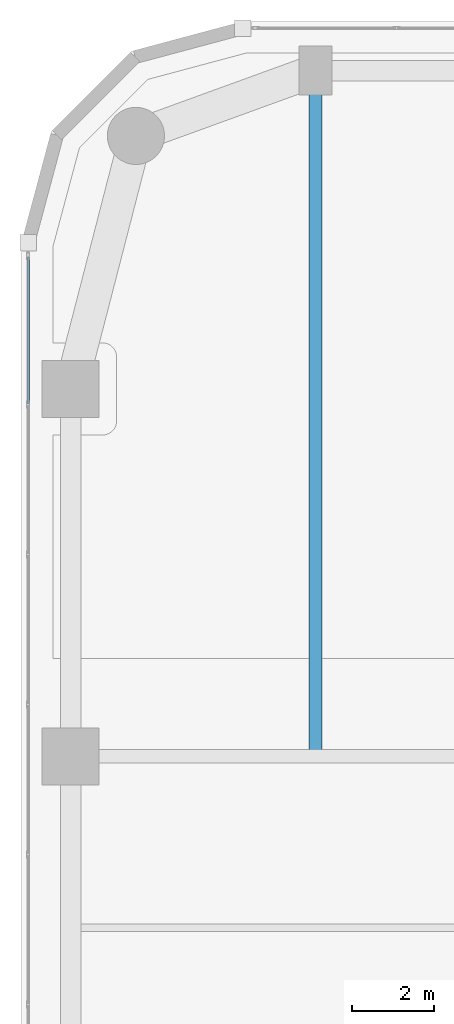
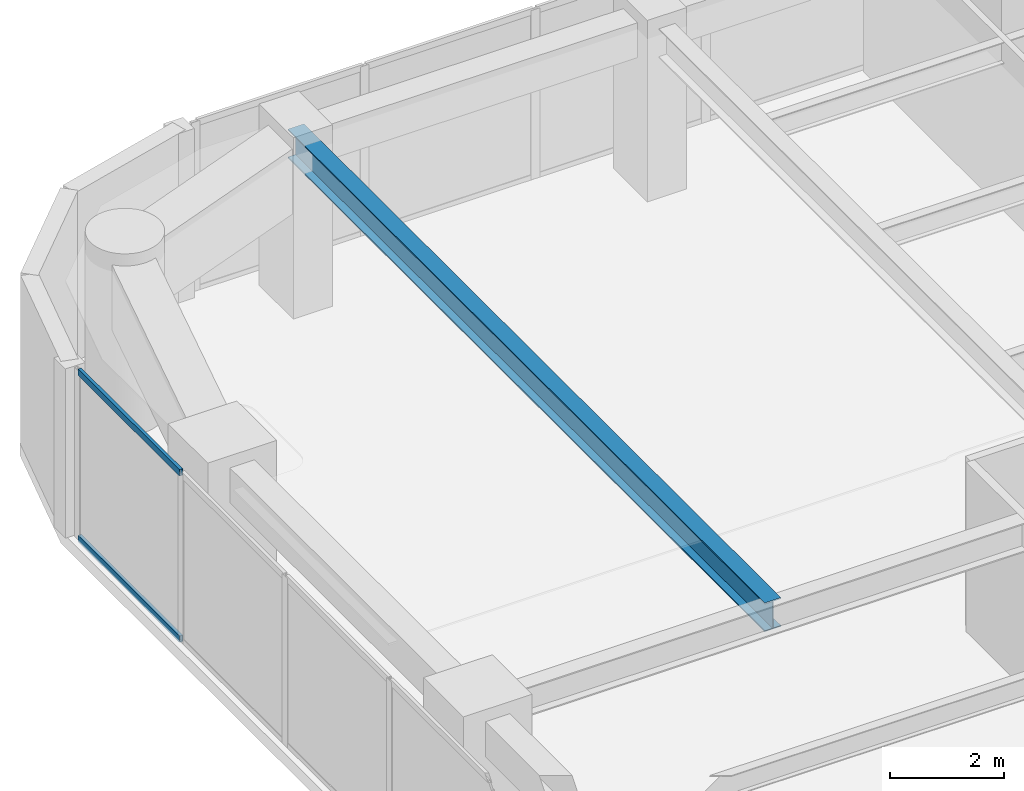
# One storey, part 10 of 24: 2 members, 1 beam, 1 element without a shape of its own.
"""IFC4 building model written with IfcOpenShell, lengths in metres."""

import ifcopenshell
import ifcopenshell.guid

model = None  # the IFC model being written
_history = None  # IfcOwnerHistory: only IFC2X3 demands one
_inside = {}  # id of a spatial element -> (the spatial element, [elements in it])
_under = {}  # id of a project, library or spatial element -> (it, [spatial elements below it])
_declared = {}  # id of a project -> (the project, [libraries it declares])
_typed = {}  # id of a type object -> (the type object, [elements of that type])
_made_of = {}  # id of a material, layer set ... -> (it, [elements and type objects made of it])


def new_model(schema):
    """Start an empty IFC model of exactly this schema.

    Asked for "IFC4X3", IfcOpenShell would pick the latest addendum, in which some entities
    have other attributes; the version numbers below select the first issue.
    IFC2X3 requires an IfcOwnerHistory on every rooted entity: one is made here for all.
    """
    global model, _history
    if schema == "IFC4X3":
        model = ifcopenshell.file(schema_version=(4, 3, 0, 0))
    else:
        model = ifcopenshell.file(schema=schema)
    _inside.clear()
    _under.clear()
    _declared.clear()
    _typed.clear()
    _made_of.clear()
    _history = None
    if model.schema == "IFC2X3":
        org = make("IfcOrganization", Name="unknown")
        user = make(
            "IfcPersonAndOrganization",
            ThePerson=make("IfcPerson", FamilyName="unknown"),
            TheOrganization=org,
        )
        app = make(
            "IfcApplication",
            ApplicationDeveloper=org,
            Version="unknown",
            ApplicationFullName="unknown",
            ApplicationIdentifier="unknown",
        )
        _history = make(
            "IfcOwnerHistory",
            OwningUser=user,
            OwningApplication=app,
            ChangeAction="ADDED",
            CreationDate=0,
        )
    return model


def make(cls, **values):
    """One entity of the class cls with the attributes given. An attribute that is None is left unset."""
    return model.create_entity(
        cls, **{name: value for name, value in values.items() if value is not None}
    )


def rooted(cls, **values):
    """An entity with a GlobalId (a new one), such as an element, a storey or a relation."""
    return make(cls, GlobalId=ifcopenshell.guid.new(), OwnerHistory=_history, **values)


def si_unit(unit_type, name, prefix=None):
    """IfcSIUnit, for example si_unit("LENGTHUNIT", "METRE", prefix="MILLI")."""
    return make("IfcSIUnit", UnitType=unit_type, Prefix=prefix, Name=name)


def assignment(units):
    """IfcUnitAssignment: the units of a project."""
    return None if units is None else make("IfcUnitAssignment", Units=units)


def point(xyz):
    """IfcCartesianPoint."""
    return None if xyz is None else make("IfcCartesianPoint", Coordinates=xyz)


def direction(xyz):
    """IfcDirection."""
    return None if xyz is None else make("IfcDirection", DirectionRatios=xyz)


def frame(location, z_axis=None, x_axis=None):
    """IfcAxis2Placement3D, a coordinate frame: its origin and axes. An axis left out is left unset."""
    return make(
        "IfcAxis2Placement3D",
        Location=point(location),
        Axis=direction(z_axis),
        RefDirection=direction(x_axis),
    )


def frame_2d(location, x_axis=None):
    """IfcAxis2Placement2D, a coordinate frame in the plane: its origin and x axis."""
    return make(
        "IfcAxis2Placement2D", Location=point(location), RefDirection=direction(x_axis)
    )


def origin():
    """The frame at (0, 0, 0) with its axes left unset."""
    return frame((0.0, 0.0, 0.0))


def origin_2d():
    """The frame at (0, 0) in the plane with its x axis left unset."""
    return frame_2d((0.0, 0.0))


def place(relative_to, where):
    """IfcLocalPlacement: puts the frame where relative to a parent placement (None: the world)."""
    return make(
        "IfcLocalPlacement", PlacementRelTo=relative_to, RelativePlacement=where
    )


def context(
    kind, dimensions, precision=None, world=None, true_north=None, identifier=None
):
    """IfcGeometricRepresentationContext, for example the 3D "Model" context."""
    return make(
        "IfcGeometricRepresentationContext",
        ContextIdentifier=identifier,
        ContextType=kind,
        CoordinateSpaceDimension=dimensions,
        Precision=precision,
        WorldCoordinateSystem=world,
        TrueNorth=true_north,
    )


def subcontext(parent, identifier, kind, view, scale=None):
    """IfcGeometricRepresentationSubContext, for example "Body" below "Model"."""
    return make(
        "IfcGeometricRepresentationSubContext",
        ContextIdentifier=identifier,
        ContextType=kind,
        ParentContext=parent,
        TargetScale=scale,
        TargetView=view,
    )


def project(units=None, contexts=None):
    """IfcProject with its units and contexts."""
    return rooted(
        "IfcProject",
        Name="project",
        RepresentationContexts=contexts,
        UnitsInContext=assignment(units),
    )


def spatial(cls, under=None, at=None, **own):
    """A site, building, storey or space (cls), placed at a placement, below another one or the project."""
    s = rooted(cls, ObjectPlacement=at, **own)
    if under is not None:
        _under.setdefault(under.id(), (under, []))[1].append(s)
    return s


def profile(cls, at=None, kind="AREA", **sizes):
    """A parametric profile (cls). Its sizes go by their IFC names, for example OverallWidth=200.0."""
    return make(cls, ProfileType=kind, Position=at, **sizes)


def hollow_rectangle(**sizes):
    """IfcRectangleHollowProfileDef."""
    return profile("IfcRectangleHollowProfileDef", **sizes)


def i_section(**sizes):
    """IfcIShapeProfileDef."""
    return profile("IfcIShapeProfileDef", **sizes)


def extrude(swept, where, along, depth):
    """IfcExtrudedAreaSolid: the profile swept, set in the frame where, extruded along a direction by depth."""
    return make(
        "IfcExtrudedAreaSolid",
        SweptArea=swept,
        Position=where,
        ExtrudedDirection=direction(along),
        Depth=depth,
    )


def shape(context_of_items, identifier, shape_type, items):
    """IfcShapeRepresentation: the items that make up one representation, for example the "Body"."""
    return make(
        "IfcShapeRepresentation",
        ContextOfItems=context_of_items,
        RepresentationIdentifier=identifier,
        RepresentationType=shape_type,
        Items=items,
    )


def material(Name=None, Category=None):
    """IfcMaterial."""
    return make("IfcMaterial", Name=Name, Category=Category)


def layer(
    of_material, thickness, ventilated=None, Name=None, Category=None, Priority=None
):
    """IfcMaterialLayer: one layer of a wall or slab, of a material (None: an air gap)."""
    return make(
        "IfcMaterialLayer",
        Material=of_material,
        LayerThickness=thickness,
        IsVentilated=ventilated,
        Name=Name,
        Category=Category,
        Priority=Priority,
    )


def layer_set(layers, Name=None):
    """IfcMaterialLayerSet."""
    return make("IfcMaterialLayerSet", MaterialLayers=layers, LayerSetName=Name)


def material_profile(
    of_material, cross_section, Name=None, Category=None, Priority=None
):
    """IfcMaterialProfile: a cross section and its material."""
    return make(
        "IfcMaterialProfile",
        Name=Name,
        Material=of_material,
        Profile=cross_section,
        Priority=Priority,
        Category=Category,
    )


def profile_set(profiles, Name=None, composite=None):
    """IfcMaterialProfileSet."""
    return make(
        "IfcMaterialProfileSet",
        Name=Name,
        MaterialProfiles=profiles,
        CompositeProfile=composite,
    )


def made_of(thing, what):
    """Note that an element or type object is made of a material, layer set ...; save() writes the relation."""
    if what is not None:
        _made_of.setdefault(what.id(), (what, []))[1].append(thing)
    return thing


def type_object(cls, material=None, **own):
    """A type object (cls), such as IfcWallType, which elements share."""
    return made_of(rooted(cls, **own), material)


def element(
    cls,
    number,
    at=None,
    inside=None,
    cuts=None,
    type_object=None,
    material=None,
    context=None,
    identifier="Body",
    shape_type=None,
    held_by="IfcProductDefinitionShape",
    body=None,
    shapes=None,
    **own,
):
    """One element of the class cls, such as IfcWall. Its Tag is "e" and its number.

    at: its placement. inside: the storey or other place that contains it. cuts: it is an
    opening in that element (IfcRelVoidsElement). A single representation is given by context,
    identifier, shape_type and body (its items); several are given by shapes. held_by: the class
    of the entity that holds the representations. save() writes the other relations.
    """
    e = rooted(cls, Tag="e%d" % number, ObjectPlacement=at, **own)
    if body is not None:
        shapes = [shape(context, identifier, shape_type, body)]
    if shapes is not None:
        e.Representation = make(held_by, Representations=shapes)
    if inside is not None:
        _inside.setdefault(inside.id(), (inside, []))[1].append(e)
    if cuts is not None:
        rooted(
            "IfcRelVoidsElement", RelatingBuildingElement=cuts, RelatedOpeningElement=e
        )
    if type_object is not None:
        _typed.setdefault(type_object.id(), (type_object, []))[1].append(e)
    return made_of(e, material)


def aggregate(whole, parts):
    """IfcRelAggregates: a whole, such as a stair, and the parts it consists of."""
    return rooted("IfcRelAggregates", RelatingObject=whole, RelatedObjects=parts)


def save(model, path):
    """Write the relations noted so far, then the file.

    IfcRelAggregates (storeys below a building ...), IfcRelContainedInSpatialStructure (elements
    in a storey), IfcRelDefinesByType, IfcRelAssociatesMaterial and IfcRelDeclares: one each for
    every whole, place, type object, material and project.
    """
    for whole, parts in _under.values():
        aggregate(whole, parts)
    for where, things in _inside.values():
        rooted(
            "IfcRelContainedInSpatialStructure",
            RelatedElements=things,
            RelatingStructure=where,
        )
    for kind, things in _typed.values():
        rooted("IfcRelDefinesByType", RelatedObjects=things, RelatingType=kind)
    for what, things in _made_of.values():
        rooted("IfcRelAssociatesMaterial", RelatedObjects=things, RelatingMaterial=what)
    for by, libraries in _declared.values():
        rooted("IfcRelDeclares", RelatingContext=by, RelatedDefinitions=libraries)
    model.write(path)


model = new_model("IFC4")

# Units and contexts
model_context = context("Model", 3, precision=1e-05, world=origin(), true_north=direction((0.0, 1.0)))
body_context = subcontext(model_context, "Body", "Model", "MODEL_VIEW")
ifc_project = project(units=[si_unit("LENGTHUNIT", "METRE"), si_unit("AREAUNIT", "SQUARE_METRE"), si_unit("VOLUMEUNIT", "CUBIC_METRE"), si_unit("PLANEANGLEUNIT", "RADIAN"), si_unit("MASSUNIT", "GRAM", prefix="KILO")], contexts=[model_context])

# Site, building, storey
site_placement = place(None, origin())
site = spatial("IfcSite", under=ifc_project, at=site_placement, CompositionType="ELEMENT")
building_placement = place(site_placement, origin())
building = spatial("IfcBuilding", under=site, at=building_placement, Name="Kiyonajd Concourse Tower", CompositionType="ELEMENT")
storey_placement = place(building_placement, frame((0.0, 0.0, 137.699951171875)))
storey = spatial("IfcBuildingStorey", under=building, at=storey_placement, Name="L35", CompositionType="ELEMENT", Elevation=137.699951171875)

# Beam
ifc_material_1 = material(Name="Steel ASTM A992 Grade 50", Category="steel")
ifc_material_profile_1 = material_profile(ifc_material_1, i_section(OverallWidth=0.326904296875, OverallDepth=0.6220703125, WebThickness=0.015380859375, FlangeThickness=0.0244140625, at=origin_2d()), Name="W610X195")
ifc_profile_set_1 = profile_set([ifc_material_profile_1], Name="Steel ASTM A992 Grade 50")
beam_type = type_object("IfcBeamType", Name="BM-TWR-610A", PredefinedType="BEAM", material=ifc_profile_set_1)
beam_placement = place(storey_placement, frame((25.199951171875, 44.39990234375, 3.3291015625), z_axis=(0.0, 1.0, 0.0), x_axis=(-1.0, 0.0, 0.0)))
element("IfcBeam", 1, at=beam_placement, inside=storey, type_object=beam_type, Name="L35 North Lease Girder", PredefinedType="BEAM", context=body_context, shape_type="SweptSolid", body=[
    extrude(i_section(OverallWidth=0.326904296875, OverallDepth=0.6220703125, WebThickness=0.015380859375, FlangeThickness=0.0244140625, at=origin_2d()), origin(), (0.0, 0.0, 1.0), 16.800048828125),
])

# Curtain wall, members
ifc_material_2 = material(Name="Thermally Broken Anodised Aluminium", Category="aluminium")
ifc_layer = layer(ifc_material_2, 0.179931640625)
ifc_layer_set = layer_set([ifc_layer], Name="Thermally Broken Anodised Aluminium")
curtain_wall_type = type_object("IfcCurtainWallType", Name="CW-SYS-03", PredefinedType="NOTDEFINED", material=ifc_layer_set)
curtain_wall_placement = place(storey_placement, origin())
curtain_wall = element("IfcCurtainWall", 2, at=curtain_wall_placement, inside=storey, type_object=curtain_wall_type, Name="L35 Unitised Curtain Wall CW3", PredefinedType="NOTDEFINED")
ifc_material_profile_2 = material_profile(ifc_material_2, hollow_rectangle(XDim=0.06494140625, YDim=0.139892578125, WallThickness=0.00390625, at=origin_2d()), Name="TRAN-65x140")
ifc_profile_set_2 = profile_set([ifc_material_profile_2], Name="Thermally Broken Anodised Aluminium")
member_type = type_object("IfcMemberType", Name="MB-CW-TRAN1", PredefinedType="USERDEFINED", material=ifc_profile_set_2)
member_1_placement = place(storey_placement, frame((18.159912109375, 53.04833984375, 0.032470703125), z_axis=(0.0, 1.0, 0.0), x_axis=(-1.0, 0.0, 0.0)))
member_1 = element("IfcMember", 3, at=member_1_placement, type_object=member_type, Name="CW3 transom 6.1", ObjectType="TRANSOM", PredefinedType="USERDEFINED", context=body_context, shape_type="SweptSolid", body=[
    extrude(hollow_rectangle(XDim=0.06494140625, YDim=0.139892578125, WallThickness=0.00390625, at=origin_2d()), origin(), (0.0, 0.0, 1.0), 3.575439453125),
])
member_2_placement = place(storey_placement, frame((18.159912109375, 53.04833984375, 3.607666015625), z_axis=(0.0, 1.0, 0.0), x_axis=(-1.0, 0.0, 0.0)))
member_2 = element("IfcMember", 4, at=member_2_placement, type_object=member_type, Name="CW3 transom 6.2", ObjectType="TRANSOM", PredefinedType="USERDEFINED", context=body_context, shape_type="SweptSolid", body=[
    extrude(hollow_rectangle(XDim=0.06494140625, YDim=0.139892578125, WallThickness=0.00390625, at=origin_2d()), origin(), (0.0, 0.0, 1.0), 3.575439453125),
])
aggregate(curtain_wall, [member_1, member_2])

save(model, "model.ifc")
